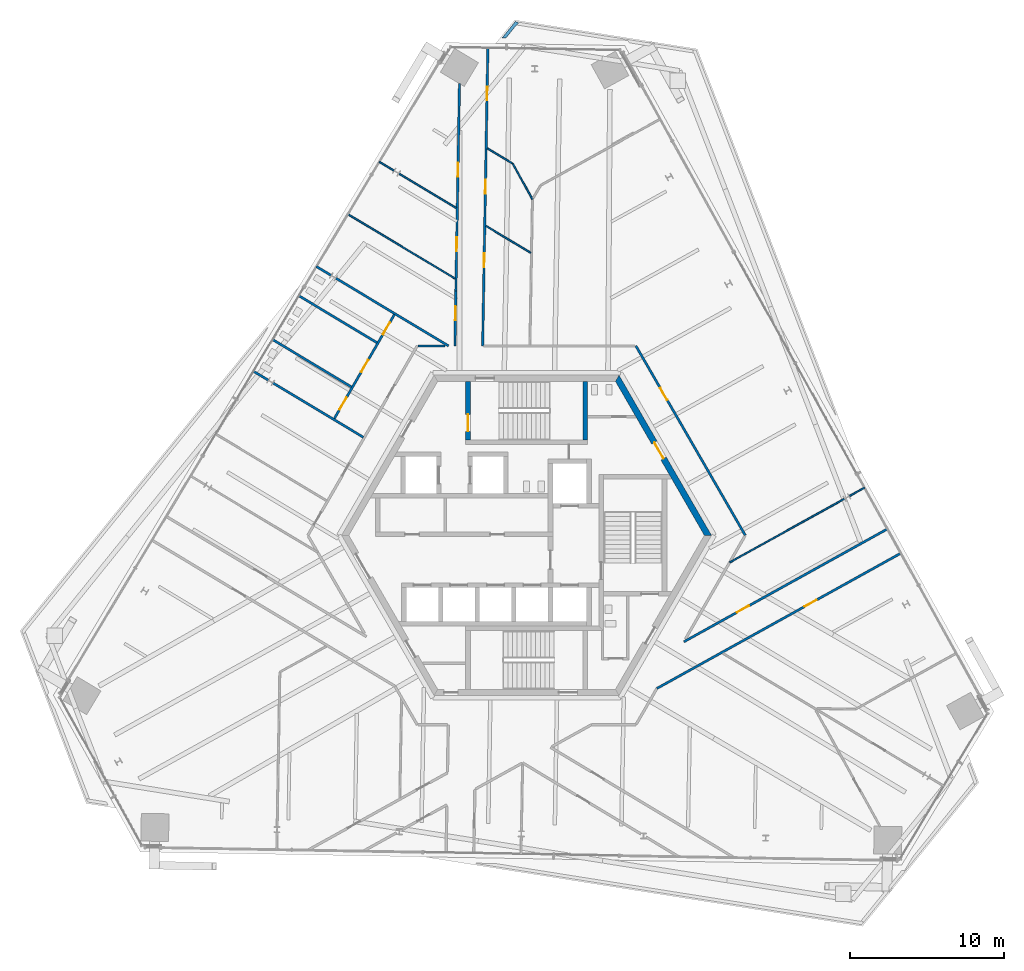
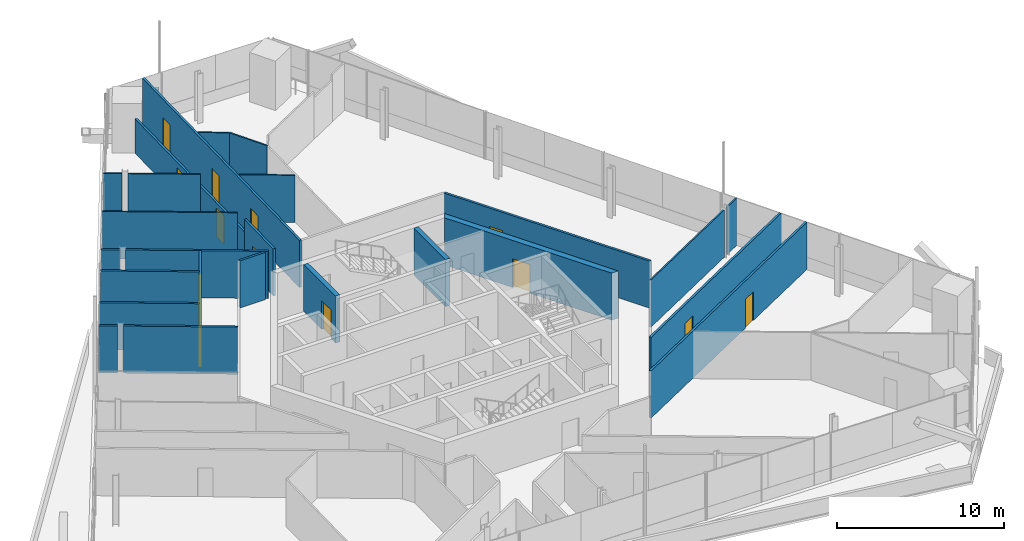
# One storey, part 17 of 22: 26 walls, 14 doors, 14 openings.
"""IFC4 building model written with IfcOpenShell, lengths in metres."""

from ifc_helpers import new_model, si_unit, direction, frame, frame_2d, origin, place, context, subcontext, project, spatial, polyline, rectangle, outline, extrude, source, transform, mapped, material, layer, layer_set, type_object, element, fill, save


model = new_model("IFC4")

# Units and contexts
model_context = context("Model", 3, precision=1e-05, world=origin(), true_north=direction((0.0, 1.0)))
body_context = subcontext(model_context, "Body", "Model", "MODEL_VIEW")
ifc_project = project(units=[si_unit("LENGTHUNIT", "METRE"), si_unit("AREAUNIT", "SQUARE_METRE"), si_unit("VOLUMEUNIT", "CUBIC_METRE"), si_unit("PLANEANGLEUNIT", "RADIAN"), si_unit("MASSUNIT", "GRAM", prefix="KILO")], contexts=[model_context])

# Site, building, storey
site_placement = place(None, origin())
site = spatial("IfcSite", under=ifc_project, at=site_placement, CompositionType="ELEMENT")
building_placement = place(site_placement, origin())
building = spatial("IfcBuilding", under=site, at=building_placement, Name="Triune Harvest Tower", CompositionType="ELEMENT")
storey_placement = place(building_placement, frame((0.0, 0.0, 179.89990234375)))
storey = spatial("IfcBuildingStorey", under=building, at=storey_placement, Name="L46", CompositionType="ELEMENT", Elevation=179.89990234375)

# Walls
ifc_material_1 = material(Name="Gypsum board on steel studs", Category="steel")
ifc_layer_1 = layer(ifc_material_1, 0.14990234375)
ifc_layer_set_1 = layer_set([ifc_layer_1], Name="Gypsum board on steel studs")
wall_type_1 = type_object("IfcWallType", Name="Fire Partition 150 mm", PredefinedType="PARTITIONING", material=ifc_layer_set_1)
wall_1_placement = place(storey_placement, frame((-16.46044921875, 9.890380859375, 0.0), z_axis=(0.0, 0.0, 1.0), x_axis=(0.857165653174, -0.515040816847, 0.0)))
element("IfcWall", 1, at=wall_1_placement, inside=storey, type_object=wall_type_1, Name="Partition L46 016", PredefinedType="PARTITIONING", context=body_context, shape_type="SweptSolid", body=[
    extrude(rectangle(XDim=6.84912109375, YDim=0.14990234375, at=frame_2d((3.424560546875, 0.0))), origin(), (0.0, 0.0, 1.0), 3.440185546875),
])
wall_2_placement = place(storey_placement, frame((-16.487548828125, 12.706787109375, 0.0), z_axis=(0.0, 0.0, 1.0), x_axis=(0.857164980933, -0.515041935634, 0.0)))
element("IfcWall", 2, at=wall_2_placement, inside=storey, type_object=wall_type_1, Name="Partition L46 019", PredefinedType="PARTITIONING", context=body_context, shape_type="SweptSolid", body=[
    extrude(rectangle(XDim=5.980712890625, YDim=0.14990234375, at=frame_2d((2.990234375, 0.0))), origin(), (0.0, 0.0, 1.0), 3.440185546875),
])
wall_3_placement = place(storey_placement, frame((-14.779541015625, 15.54931640625, 0.0), z_axis=(0.0, 0.0, 1.0), x_axis=(0.857165418582, -0.51504120727, 0.0)))
element("IfcWall", 3, at=wall_3_placement, inside=storey, type_object=wall_type_1, Name="Partition L46 020", PredefinedType="PARTITIONING", context=body_context, shape_type="SweptSolid", body=[
    extrude(rectangle(XDim=5.9228515625, YDim=0.14990234375, at=frame_2d((2.96142578125, 0.0))), origin(), (0.0, 0.0, 1.0), 3.440185546875),
])
wall_4_placement = place(storey_placement, frame((-12.377685546875, 16.685302734375, 0.0), z_axis=(0.0, 0.0, 1.0), x_axis=(0.857174551335, -0.515026007638, 0.0)))
element("IfcWall", 4, at=wall_4_placement, inside=storey, type_object=wall_type_1, Name="Partition L46 022", PredefinedType="PARTITIONING", context=body_context, shape_type="SweptSolid", body=[
    extrude(rectangle(XDim=8.52978515625, YDim=0.14990234375, at=frame_2d((4.264892578125, 0.0))), origin(), (0.0, 0.0, 1.0), 3.440185546875),
])
wall_5_placement = place(storey_placement, frame((-7.047119140625, 12.292236328125, 0.0), z_axis=(0.0, 0.0, 1.0), x_axis=(1.0, 0.0, 0.0)))
element("IfcWall", 5, at=wall_5_placement, inside=storey, type_object=wall_type_1, Name="Partition L46 031", PredefinedType="PARTITIONING", context=body_context, shape_type="SweptSolid", body=[
    extrude(rectangle(XDim=1.747314453125, YDim=0.14990234375, at=frame_2d((0.87353515625, 0.0))), origin(), (0.0, 0.0, 1.0), 3.440185546875),
])

# Wall, opening, door
wall_6_placement = place(storey_placement, frame((8.456787109375, -9.936767578125, 0.0), z_axis=(0.0, 0.0, 1.0), x_axis=(0.874617575563, 0.484813465692, 0.0)))
wall_6 = element("IfcWall", 6, at=wall_6_placement, inside=storey, type_object=wall_type_1, Name="Partition L46 038", PredefinedType="PARTITIONING", context=body_context, shape_type="SweptSolid", body=[
    extrude(rectangle(XDim=18.09814453125, YDim=0.14990234375, at=frame_2d((9.049072265625, 0.0))), origin(), (0.0, 0.0, 1.0), 3.440185546875),
])
opening_1_placement = place(wall_6_placement, frame((10.955810546875, 0.0, 0.0)))
opening_1 = element("IfcOpeningElement", 7, at=opening_1_placement, cuts=wall_6, Name="Opening L46-002", PredefinedType="OPENING", context=body_context, shape_type="SweptSolid", body=[
    extrude(rectangle(XDim=0.89990234375, YDim=2.10009765625, at=frame_2d((0.449951171875, 1.050048828125))), frame((0.0, 0.0849609375, 0.0), z_axis=(0.0, -1.0, 0.0), x_axis=(1.0, 0.0, 0.0)), (0.0, 0.0, 1.0), 0.169921875),
])
ifc_material_2 = material(Name="Timber and steel door set", Category="steel")
door_type_1 = type_object("IfcDoorType", Name="Single leaf door FD30 left hand 900 x 2100", OperationType="SINGLE_SWING_LEFT", PredefinedType="DOOR", material=ifc_material_2)
door_1_placement = place(opening_1_placement, origin())
door_1 = element("IfcDoor", 8, at=door_1_placement, inside=storey, type_object=door_type_1, Name="Door L46-002 Office 46.02", OperationType="SINGLE_SWING_LEFT", OverallHeight=2.10009765625, OverallWidth=0.89990234375, PredefinedType="DOOR", context=body_context, shape_type="SweptSolid", body=[
    extrude(rectangle(XDim=0.89990234375, YDim=2.10009765625, at=frame_2d((0.449951171875, 1.050048828125))), frame((0.0, 0.02490234375, 0.0), z_axis=(0.0, -1.0, 0.0), x_axis=(1.0, 0.0, 0.0)), (0.0, 0.0, 1.0), 0.050048828125),
])
fill(opening_1, door_1)

wall_7_placement = place(storey_placement, frame((10.204345703125, -6.91015625, 0.0), z_axis=(0.0, 0.0, 1.0), x_axis=(0.874618217, 0.484812308519, 0.0)))
wall_7 = element("IfcWall", 9, at=wall_7_placement, inside=storey, type_object=wall_type_1, Name="Partition L46 040", PredefinedType="PARTITIONING", context=body_context, shape_type="SweptSolid", body=[
    extrude(rectangle(XDim=15.102294921875, YDim=0.14990234375, at=frame_2d((7.55126953125, 0.0))), origin(), (0.0, 0.0, 1.0), 3.440185546875),
])
opening_2_placement = place(wall_7_placement, frame((3.93310546875, 0.0, 0.0)))
opening_2 = element("IfcOpeningElement", 10, at=opening_2_placement, cuts=wall_7, Name="Opening L46-001", PredefinedType="OPENING", context=body_context, shape_type="SweptSolid", body=[
    extrude(rectangle(XDim=0.89990234375, YDim=2.10009765625, at=frame_2d((0.449951171875, 1.050048828125))), frame((0.0, 0.0849609375, 0.0), z_axis=(0.0, -1.0, 0.0), x_axis=(1.0, 0.0, 0.0)), (0.0, 0.0, 1.0), 0.169921875),
])
door_2_placement = place(opening_2_placement, origin())
door_2 = element("IfcDoor", 11, at=door_2_placement, inside=storey, type_object=door_type_1, Name="Door L46-001 Meeting Room 46.01", OperationType="SINGLE_SWING_LEFT", OverallHeight=2.10009765625, OverallWidth=0.89990234375, PredefinedType="DOOR", context=body_context, shape_type="SweptSolid", body=[
    extrude(rectangle(XDim=0.89990234375, YDim=2.10009765625, at=frame_2d((0.449951171875, 1.050048828125))), frame((0.0, 0.02490234375, 0.0), z_axis=(0.0, -1.0, 0.0), x_axis=(1.0, 0.0, 0.0)), (0.0, 0.0, 1.0), 0.050048828125),
])
fill(opening_2, door_2)

# Wall, openings, doors
wall_8_placement = place(storey_placement, frame((-12.510009765625, 7.5166015625, 0.0), z_axis=(0.0, 0.0, 1.0), x_axis=(0.499999983394, 0.866025413372, 0.0)))
wall_8 = element("IfcWall", 12, at=wall_8_placement, inside=storey, type_object=wall_type_1, Name="Partition L46 049", PredefinedType="PARTITIONING", context=body_context, shape_type="SweptSolid", body=[
    extrude(rectangle(XDim=7.86865234375, YDim=0.14990234375, at=frame_2d((3.934326171875, 0.0))), origin(), (0.0, 0.0, 1.0), 3.440185546875),
])
opening_3_placement = place(wall_8_placement, frame((6.378662109375, 0.0, 0.0)))
opening_3 = element("IfcOpeningElement", 13, at=opening_3_placement, cuts=wall_8, Name="Opening L46-011", PredefinedType="OPENING", context=body_context, shape_type="SweptSolid", body=[
    extrude(rectangle(XDim=0.89990234375, YDim=2.10009765625, at=frame_2d((0.449951171875, 1.050048828125))), frame((0.0, 0.0849609375, 0.0), z_axis=(0.0, -1.0, 0.0), x_axis=(1.0, 0.0, 0.0)), (0.0, 0.0, 1.0), 0.169921875),
])
opening_4_placement = place(wall_8_placement, frame((3.5673828125, 0.0, 0.0)))
opening_4 = element("IfcOpeningElement", 14, at=opening_4_placement, cuts=wall_8, Name="Opening L46-012", PredefinedType="OPENING", context=body_context, shape_type="SweptSolid", body=[
    extrude(rectangle(XDim=0.89990234375, YDim=2.10009765625, at=frame_2d((0.449951171875, 1.050048828125))), frame((0.0, 0.0849609375, 0.0), z_axis=(0.0, -1.0, 0.0), x_axis=(1.0, 0.0, 0.0)), (0.0, 0.0, 1.0), 0.169921875),
])
opening_5_placement = place(wall_8_placement, frame((0.75048828125, 0.0, 0.0)))
opening_5 = element("IfcOpeningElement", 15, at=opening_5_placement, cuts=wall_8, Name="Opening L46-013", PredefinedType="OPENING", context=body_context, shape_type="SweptSolid", body=[
    extrude(rectangle(XDim=0.89990234375, YDim=2.10009765625, at=frame_2d((0.449951171875, 1.050048828125))), frame((0.0, 0.0849609375, 0.0), z_axis=(0.0, -1.0, 0.0), x_axis=(1.0, 0.0, 0.0)), (0.0, 0.0, 1.0), 0.169921875),
])
door_3_placement = place(opening_5_placement, origin())
door_3 = element("IfcDoor", 16, at=door_3_placement, inside=storey, type_object=door_type_1, Name="Door L46-013 Accessible WC 46.13", OperationType="SINGLE_SWING_LEFT", OverallHeight=2.10009765625, OverallWidth=0.89990234375, PredefinedType="DOOR", context=body_context, shape_type="SweptSolid", body=[
    extrude(rectangle(XDim=0.89990234375, YDim=2.10009765625, at=frame_2d((0.449951171875, 1.050048828125))), frame((0.0, 0.02490234375, 0.0), z_axis=(0.0, -1.0, 0.0), x_axis=(1.0, 0.0, 0.0)), (0.0, 0.0, 1.0), 0.050048828125),
])
fill(opening_5, door_3)
ifc_material_3 = material(Name="Timber and steel door set", Category="steel")
door_type_2 = type_object("IfcDoorType", Name="Single leaf door FD30 right hand 900 x 2100", OperationType="SINGLE_SWING_RIGHT", PredefinedType="DOOR", material=ifc_material_3)
door_4_placement = place(opening_3_placement, origin())
door_4 = element("IfcDoor", 17, at=door_4_placement, inside=storey, type_object=door_type_2, Name="Door L46-011 Women's WC 46.11", OperationType="SINGLE_SWING_RIGHT", OverallHeight=2.10009765625, OverallWidth=0.89990234375, PredefinedType="DOOR", context=body_context, shape_type="SweptSolid", body=[
    extrude(rectangle(XDim=0.89990234375, YDim=2.10009765625, at=frame_2d((0.449951171875, 1.050048828125))), frame((0.0, 0.02490234375, 0.0), z_axis=(0.0, -1.0, 0.0), x_axis=(1.0, 0.0, 0.0)), (0.0, 0.0, 1.0), 0.050048828125),
])
fill(opening_3, door_4)
door_5_placement = place(opening_4_placement, origin())
door_5 = element("IfcDoor", 18, at=door_5_placement, inside=storey, type_object=door_type_2, Name="Door L46-012 Men's WC 46.12", OperationType="SINGLE_SWING_RIGHT", OverallHeight=2.10009765625, OverallWidth=0.89990234375, PredefinedType="DOOR", context=body_context, shape_type="SweptSolid", body=[
    extrude(rectangle(XDim=0.89990234375, YDim=2.10009765625, at=frame_2d((0.449951171875, 1.050048828125))), frame((0.0, 0.02490234375, 0.0), z_axis=(0.0, -1.0, 0.0), x_axis=(1.0, 0.0, 0.0)), (0.0, 0.0, 1.0), 0.050048828125),
])
fill(opening_4, door_5)

wall_9_placement = place(storey_placement, frame((-2.849609375, 12.292236328125, 0.0), z_axis=(0.0, 0.0, 1.0), x_axis=(0.01746700904, 0.99984744016, 0.0)))
wall_9 = element("IfcWall", 19, at=wall_9_placement, inside=storey, type_object=wall_type_1, Name="Partition L46 054", PredefinedType="PARTITIONING", context=body_context, shape_type="SweptSolid", body=[
    extrude(rectangle(XDim=19.344482421875, YDim=0.14990234375, at=frame_2d((9.67236328125, 0.0))), origin(), (0.0, 0.0, 1.0), 3.440185546875),
])
opening_6_placement = place(wall_9_placement, frame((15.931884765625, 0.0, 0.0)))
opening_6 = element("IfcOpeningElement", 20, at=opening_6_placement, cuts=wall_9, Name="Opening L46-004", PredefinedType="OPENING", context=body_context, shape_type="SweptSolid", body=[
    extrude(rectangle(XDim=0.89990234375, YDim=2.10009765625, at=frame_2d((0.449951171875, 1.050048828125))), frame((0.0, 0.0849609375, 0.0), z_axis=(0.0, -1.0, 0.0), x_axis=(1.0, 0.0, 0.0)), (0.0, 0.0, 1.0), 0.169921875),
])
opening_7_placement = place(wall_9_placement, frame((9.88525390625, 0.0, 0.0)))
opening_7 = element("IfcOpeningElement", 21, at=opening_7_placement, cuts=wall_9, Name="Opening L46-006", PredefinedType="OPENING", context=body_context, shape_type="SweptSolid", body=[
    extrude(rectangle(XDim=0.89990234375, YDim=2.10009765625, at=frame_2d((0.449951171875, 1.050048828125))), frame((0.0, 0.0849609375, 0.0), z_axis=(0.0, -1.0, 0.0), x_axis=(1.0, 0.0, 0.0)), (0.0, 0.0, 1.0), 0.169921875),
])
opening_8_placement = place(wall_9_placement, frame((5.1083984375, 0.0, 0.0)))
opening_8 = element("IfcOpeningElement", 22, at=opening_8_placement, cuts=wall_9, Name="Opening L46-009", PredefinedType="OPENING", context=body_context, shape_type="SweptSolid", body=[
    extrude(rectangle(XDim=0.89990234375, YDim=2.10009765625, at=frame_2d((0.449951171875, 1.050048828125))), frame((0.0, 0.0849609375, 0.0), z_axis=(0.0, -1.0, 0.0), x_axis=(1.0, 0.0, 0.0)), (0.0, 0.0, 1.0), 0.169921875),
])
door_6_placement = place(opening_6_placement, origin())
door_6 = element("IfcDoor", 23, at=door_6_placement, inside=storey, type_object=door_type_1, Name="Door L46-004 Reception 46.04", OperationType="SINGLE_SWING_LEFT", OverallHeight=2.10009765625, OverallWidth=0.89990234375, PredefinedType="DOOR", context=body_context, shape_type="SweptSolid", body=[
    extrude(rectangle(XDim=0.89990234375, YDim=2.10009765625, at=frame_2d((0.449951171875, 1.050048828125))), frame((0.0, 0.02490234375, 0.0), z_axis=(0.0, -1.0, 0.0), x_axis=(1.0, 0.0, 0.0)), (0.0, 0.0, 1.0), 0.050048828125),
])
fill(opening_6, door_6)
door_7_placement = place(opening_7_placement, origin())
door_7 = element("IfcDoor", 24, at=door_7_placement, inside=storey, type_object=door_type_1, Name="Door L46-006 Office 46.06", OperationType="SINGLE_SWING_LEFT", OverallHeight=2.10009765625, OverallWidth=0.89990234375, PredefinedType="DOOR", context=body_context, shape_type="SweptSolid", body=[
    extrude(rectangle(XDim=0.89990234375, YDim=2.10009765625, at=frame_2d((0.449951171875, 1.050048828125))), frame((0.0, 0.02490234375, 0.0), z_axis=(0.0, -1.0, 0.0), x_axis=(1.0, 0.0, 0.0)), (0.0, 0.0, 1.0), 0.050048828125),
])
fill(opening_7, door_7)
door_8_placement = place(opening_8_placement, origin())
door_8 = element("IfcDoor", 25, at=door_8_placement, inside=storey, type_object=door_type_2, Name="Door L46-009 Office 46.09", OperationType="SINGLE_SWING_RIGHT", OverallHeight=2.10009765625, OverallWidth=0.89990234375, PredefinedType="DOOR", context=body_context, shape_type="SweptSolid", body=[
    extrude(rectangle(XDim=0.89990234375, YDim=2.10009765625, at=frame_2d((0.449951171875, 1.050048828125))), frame((0.0, 0.02490234375, 0.0), z_axis=(0.0, -1.0, 0.0), x_axis=(1.0, 0.0, 0.0)), (0.0, 0.0, 1.0), 0.050048828125),
])
fill(opening_8, door_8)

# Wall, opening, door
wall_10_placement = place(storey_placement, frame((-4.64990234375, 12.292236328125, 0.0), z_axis=(0.0, 0.0, 1.0), x_axis=(0.017413705839, 0.999848369929, 0.0)))
wall_10 = element("IfcWall", 26, at=wall_10_placement, inside=storey, type_object=wall_type_1, Name="Partition L46 057", PredefinedType="PARTITIONING", context=body_context, shape_type="SweptSolid", body=[
    extrude(rectangle(XDim=3.56103515625, YDim=0.14990234375, at=frame_2d((1.780517578125, 0.0))), origin(), (0.0, 0.0, 1.0), 3.440185546875),
])
opening_9_placement = place(wall_10_placement, frame((1.67919921875, 0.0, 0.0)))
opening_9 = element("IfcOpeningElement", 27, at=opening_9_placement, cuts=wall_10, Name="Opening L46-007", PredefinedType="OPENING", context=body_context, shape_type="SweptSolid", body=[
    extrude(rectangle(XDim=0.89990234375, YDim=2.10009765625, at=frame_2d((0.449951171875, 1.050048828125))), frame((0.0, 0.0849609375, 0.0), z_axis=(0.0, -1.0, 0.0), x_axis=(1.0, 0.0, 0.0)), (0.0, 0.0, 1.0), 0.169921875),
])
door_9_placement = place(opening_9_placement, origin())
door_9 = element("IfcDoor", 28, at=door_9_placement, inside=storey, type_object=door_type_1, Name="Door L46-007 Office 46.07", OperationType="SINGLE_SWING_LEFT", OverallHeight=2.10009765625, OverallWidth=0.89990234375, PredefinedType="DOOR", context=body_context, shape_type="SweptSolid", body=[
    extrude(rectangle(XDim=0.89990234375, YDim=2.10009765625, at=frame_2d((0.449951171875, 1.050048828125))), frame((0.0, 0.02490234375, 0.0), z_axis=(0.0, -1.0, 0.0), x_axis=(1.0, 0.0, 0.0)), (0.0, 0.0, 1.0), 0.050048828125),
])
fill(opening_9, door_9)

# Walls
ifc_material_4 = material(Name="Concrete 40 MPa", Category="concrete")
ifc_layer_2 = layer(ifc_material_4, 0.199951171875)
ifc_layer_set_2 = layer_set([ifc_layer_2], Name="Concrete 40 MPa")
wall_type_2 = type_object("IfcWallType", Name="PA-1 parapet 200", PredefinedType="PARAPET", material=ifc_layer_set_2)
wall_11_placement = place(storey_placement, origin())
element("IfcWall", 29, at=wall_11_placement, inside=storey, type_object=wall_type_2, Name="Parapet wedge L45 2.1", PredefinedType="PARAPET", context=body_context, shape_type="SweptSolid", body=[
    extrude(outline(polyline([(-0.631103515625, 33.115478515625), (-0.65380859375, 33.118896484375), (-1.3466796875, 32.263427734375), (-1.600341796875, 32.267822265625), (-0.73681640625, 33.334716796875), (-0.62255859375, 33.31640625), (-0.529296875, 33.240966796875), (-0.631103515625, 33.115478515625)])), origin(), (0.0, 0.0, 1.0), 1.10009765625),
])
ifc_material_5 = material(Name="Gypsum board on steel studs", Category="steel")
ifc_layer_3 = layer(ifc_material_5, 0.10009765625)
ifc_layer_set_3 = layer_set([ifc_layer_3], Name="Gypsum board on steel studs")
wall_type_3 = type_object("IfcWallType", Name="Partition 100 mm", PredefinedType="PARTITIONING", material=ifc_layer_set_3)
wall_12_placement = place(storey_placement, frame((-0.900390625, 24.123779296875, 0.0), z_axis=(0.0, 0.0, 1.0), x_axis=(0.484842476336, -0.874601493905, 0.0)))
element("IfcWall", 30, at=wall_12_placement, inside=storey, type_object=wall_type_3, Name="Partition L46 001", PredefinedType="PARTITIONING", context=body_context, shape_type="SweptSolid", body=[
    extrude(rectangle(XDim=2.64208984375, YDim=0.10009765625, at=frame_2d((1.321044921875, 0.0))), origin(), (0.0, 0.0, 1.0), 3.440185546875),
])
wall_13_placement = place(storey_placement, frame((-11.599609375, 20.841796875, 0.0), z_axis=(0.0, 0.0, 1.0), x_axis=(0.857187155014, -0.515005030344, 0.0)))
element("IfcWall", 31, at=wall_13_placement, inside=storey, type_object=wall_type_3, Name="Partition L46 023", PredefinedType="PARTITIONING", context=body_context, shape_type="SweptSolid", body=[
    extrude(rectangle(XDim=8.10595703125, YDim=0.10009765625, at=frame_2d((4.052978515625, 0.0))), origin(), (0.0, 0.0, 1.0), 3.440185546875),
])
wall_14_placement = place(storey_placement, frame((-2.6357421875, 20.079833984375, 0.0), z_axis=(0.0, 0.0, 1.0), x_axis=(0.857187541804, -0.515004386559, 0.0)))
element("IfcWall", 32, at=wall_14_placement, inside=storey, type_object=wall_type_3, Name="Partition L46 026", PredefinedType="PARTITIONING", context=body_context, shape_type="SweptSolid", body=[
    extrude(rectangle(XDim=3.3876953125, YDim=0.10009765625, at=frame_2d((1.69384765625, 0.0))), origin(), (0.0, 0.0, 1.0), 3.440185546875),
])
wall_15_placement = place(storey_placement, frame((-2.5478515625, 25.113525390625, 0.0), z_axis=(0.0, 0.0, 1.0), x_axis=(0.857233704639, -0.514927544059, 0.0)))
element("IfcWall", 33, at=wall_15_placement, inside=storey, type_object=wall_type_3, Name="Partition L46 027", PredefinedType="PARTITIONING", context=body_context, shape_type="SweptSolid", body=[
    extrude(rectangle(XDim=1.912109375, YDim=0.10009765625, at=frame_2d((0.9560546875, 0.0))), origin(), (0.0, 0.0, 1.0), 3.440185546875),
])
wall_16_placement = place(storey_placement, frame((13.1787109375, -1.7587890625, 0.0), z_axis=(0.0, 0.0, 1.0), x_axis=(0.874607833569, 0.484831040116, 0.0)))
element("IfcWall", 34, at=wall_16_placement, inside=storey, type_object=wall_type_3, Name="Partition L46 041", PredefinedType="PARTITIONING", context=body_context, shape_type="SweptSolid", body=[
    extrude(rectangle(XDim=8.52978515625, YDim=0.10009765625, at=frame_2d((4.264892578125, 0.0))), origin(), (0.0, 0.0, 1.0), 3.440185546875),
])

# Wall, opening, door
ifc_material_6 = material(Name="Concrete 70 MPa", Category="concrete")
ifc_layer_4 = layer(ifc_material_6, 0.39990234375)
ifc_layer_set_4 = layer_set([ifc_layer_4], Name="Concrete 70 MPa")
wall_type_4 = type_object("IfcWallType", Name="Core wall 400", PredefinedType="SHEAR", material=ifc_layer_set_4)
shared_shape_1 = source(origin(), body_context, "Body", "SweptSolid", [
    extrude(outline(polyline([(-0.115478515625, -0.199951171875), (11.884521484375, -0.199951171875), (11.653564453125, 0.199951171875), (0.115478515625, 0.199951171875), (-0.115478515625, -0.199951171875)])), origin(), (0.0, 0.0, 1.0), 3.440185546875),
])
wall_17_placement = place(storey_placement, frame((11.76904296875, 0.0, 0.0), z_axis=(0.0, 0.0, 1.0), x_axis=(-0.499996592174, 0.866027371285, 0.0)))
wall_17 = element("IfcWall", 35, at=wall_17_placement, inside=storey, type_object=wall_type_4, Name="Hexagon 0 wall", PredefinedType="SHEAR", context=body_context, shape_type="MappedRepresentation", body=[
    mapped(shared_shape_1, transform((0.0, 0.0, 0.0), scale=1.0)),
])
opening_10_placement = place(wall_17_placement, frame((5.75048828125, 0.0, 0.0)))
opening_10 = element("IfcOpeningElement", 36, at=opening_10_placement, cuts=wall_17, Name="Opening CD-WCP", PredefinedType="OPENING", context=body_context, shape_type="SweptSolid", body=[
    extrude(rectangle(XDim=1.199951171875, YDim=2.10009765625, at=frame_2d((0.60009765625, 1.050048828125))), frame((0.0, 0.2099609375, 0.0), z_axis=(0.0, -1.0, 0.0), x_axis=(1.0, 0.0, 0.0)), (0.0, 0.0, 1.0), 0.419921875),
])
ifc_material_7 = material(Name="Steel S235", Category="steel")
door_type_3 = type_object("IfcDoorType", Name="Lobby door 1200 FD120", OperationType="SINGLE_SWING_LEFT", PredefinedType="DOOR", material=ifc_material_7)
door_10_placement = place(opening_10_placement, frame((1.199951171875, 0.0, 0.0), z_axis=(0.0, 0.0, 1.0), x_axis=(-1.0, 0.0, 0.0)))
door_10 = element("IfcDoor", 37, at=door_10_placement, inside=storey, type_object=door_type_3, Name="Door CD-WCP", OperationType="SINGLE_SWING_RIGHT", OverallHeight=2.10009765625, OverallWidth=1.199951171875, PredefinedType="DOOR", context=body_context, shape_type="SweptSolid", body=[
    extrude(rectangle(XDim=1.199951171875, YDim=2.10009765625, at=frame_2d((0.60009765625, 1.050048828125))), frame((0.0, 0.02490234375, 0.0), z_axis=(0.0, -1.0, 0.0), x_axis=(1.0, 0.0, 0.0)), (0.0, 0.0, 1.0), 0.050048828125),
])
fill(opening_10, door_10)

ifc_material_8 = material(Name="Concrete 70 MPa", Category="concrete")
ifc_layer_5 = layer(ifc_material_8, 0.300048828125)
ifc_layer_set_5 = layer_set([ifc_layer_5], Name="Concrete 70 MPa")
wall_type_5 = type_object("IfcWallType", Name="Core wall 300", PredefinedType="SHEAR", material=ifc_layer_set_5)
shared_shape_2 = source(origin(), body_context, "Body", "SweptSolid", [
    extrude(outline(polyline([(0.0, -0.14990234375), (0.0, 0.14990234375), (3.80419921875, 0.14990234375), (3.80419921875, -0.14990234375), (0.0, -0.14990234375)])), origin(), (0.0, 0.0, 1.0), 3.440185546875),
])
wall_18_placement = place(storey_placement, frame((-3.800048828125, 6.18994140625, 0.0), z_axis=(0.0, 0.0, 1.0), x_axis=(0.0, 1.0, 0.0)))
wall_18 = element("IfcWall", 38, at=wall_18_placement, inside=storey, type_object=wall_type_5, Name="Stair n west wall", PredefinedType="SHEAR", context=body_context, shape_type="MappedRepresentation", body=[
    mapped(shared_shape_2, transform((0.0, 0.0, 0.0), scale=1.0)),
])
opening_11_placement = place(wall_18_placement, frame((0.56005859375, 0.0, 0.0)))
opening_11 = element("IfcOpeningElement", 39, at=opening_11_placement, cuts=wall_18, Name="Opening CD-S1L", PredefinedType="OPENING", context=body_context, shape_type="SweptSolid", body=[
    extrude(rectangle(XDim=1.10009765625, YDim=2.10009765625, at=frame_2d((0.550048828125, 1.050048828125))), frame((0.0, 0.16015625, 0.0), z_axis=(0.0, -1.0, 0.0), x_axis=(1.0, 0.0, 0.0)), (0.0, 0.0, 1.0), 0.320068359375),
])
ifc_material_9 = material(Name="Steel S235", Category="steel")
door_type_4 = type_object("IfcDoorType", Name="Stair door 1100 FD120", OperationType="SINGLE_SWING_LEFT", PredefinedType="DOOR", material=ifc_material_9)
door_11_placement = place(opening_11_placement, frame((1.10009765625, 0.0, 0.0), z_axis=(0.0, 0.0, 1.0), x_axis=(-1.0, 0.0, 0.0)))
door_11 = element("IfcDoor", 40, at=door_11_placement, inside=storey, type_object=door_type_4, Name="Door CD-S1L", OperationType="SINGLE_SWING_RIGHT", OverallHeight=2.10009765625, OverallWidth=1.10009765625, PredefinedType="DOOR", context=body_context, shape_type="SweptSolid", body=[
    extrude(rectangle(XDim=1.10009765625, YDim=2.10009765625, at=frame_2d((0.550048828125, 1.050048828125))), frame((0.0, 0.02490234375, 0.0), z_axis=(0.0, -1.0, 0.0), x_axis=(1.0, 0.0, 0.0)), (0.0, 0.0, 1.0), 0.050048828125),
])
fill(opening_11, door_11)

# Wall
wall_19_placement = place(storey_placement, frame((3.800048828125, 6.18994140625, 0.0), z_axis=(0.0, 0.0, 1.0), x_axis=(0.0, 1.0, 0.0)))
element("IfcWall", 41, at=wall_19_placement, inside=storey, type_object=wall_type_5, Name="Stair n east wall", PredefinedType="SHEAR", context=body_context, shape_type="MappedRepresentation", body=[
    mapped(shared_shape_2, transform((0.0, 0.0, 0.0), scale=1.0)),
])

# Wall, opening, door
shared_shape_3 = source(origin(), body_context, "Body", "SweptSolid", [
    extrude(rectangle(XDim=14.19384765625, YDim=0.14990234375, at=frame_2d((7.096923828125, 0.0))), origin(), (0.0, 0.0, 1.0), 3.440185546875),
])
wall_20_placement = place(storey_placement, frame((7.096923828125, 12.292236328125, 0.0), z_axis=(0.0, 0.0, 1.0), x_axis=(0.499999887723, -0.866025468608, 0.0)))
wall_20 = element("IfcWall", 42, at=wall_20_placement, inside=storey, type_object=wall_type_1, Name="Partition L46 006", PredefinedType="PARTITIONING", context=body_context, shape_type="MappedRepresentation", body=[
    mapped(shared_shape_3, transform((0.0, 0.0, 0.0), scale=1.0)),
])
opening_12_placement = place(wall_20_placement, frame((3.16162109375, 0.0, 0.0)))
opening_12 = element("IfcOpeningElement", 43, at=opening_12_placement, cuts=wall_20, Name="Opening L46-003", PredefinedType="OPENING", context=body_context, shape_type="SweptSolid", body=[
    extrude(rectangle(XDim=0.89990234375, YDim=2.10009765625, at=frame_2d((0.449951171875, 1.050048828125))), frame((0.0, 0.0849609375, 0.0), z_axis=(0.0, -1.0, 0.0), x_axis=(1.0, 0.0, 0.0)), (0.0, 0.0, 1.0), 0.169921875),
])
door_12_placement = place(opening_12_placement, origin())
door_12 = element("IfcDoor", 44, at=door_12_placement, inside=storey, type_object=door_type_1, Name="Door L46-003 Open Office 46.03", OperationType="SINGLE_SWING_LEFT", OverallHeight=2.10009765625, OverallWidth=0.89990234375, PredefinedType="DOOR", context=body_context, shape_type="SweptSolid", body=[
    extrude(rectangle(XDim=0.89990234375, YDim=2.10009765625, at=frame_2d((0.449951171875, 1.050048828125))), frame((0.0, 0.02490234375, 0.0), z_axis=(0.0, -1.0, 0.0), x_axis=(1.0, 0.0, 0.0)), (0.0, 0.0, 1.0), 0.050048828125),
])
fill(opening_12, door_12)

# Walls
shared_shape_4 = source(origin(), body_context, "Body", "SweptSolid", [
    extrude(rectangle(XDim=1.13037109375, YDim=0.14990234375, at=frame_2d((0.565185546875, 0.0))), origin(), (0.0, 0.0, 1.0), 3.440185546875),
])
for number, where, z_axis, x_axis, name in (
    (45, (-17.7236328125, 10.649658203125, 0.0), (0.0, 0.0, 1.0), (0.857149738065, -0.515067302919, 0.0), "Partition L46 015"),
    (46, (-13.640869140625, 17.444580078125, 0.0), (0.0, 0.0, 1.0), (0.857149738065, -0.515067302919, 0.0), "Partition L46 021"),
):
    element("IfcWall", number, at=place(storey_placement, frame(where, z_axis=z_axis, x_axis=x_axis)), inside=storey, type_object=wall_type_1, Name=name, PredefinedType="PARTITIONING", context=body_context, shape_type="MappedRepresentation", body=[
        mapped(shared_shape_4, transform((0.0, 0.0, 0.0), scale=1.0)),
    ])
shared_shape_5 = source(origin(), body_context, "Body", "SweptSolid", [
    extrude(rectangle(XDim=1.130615234375, YDim=0.10009765625, at=frame_2d((0.5654296875, 0.0))), origin(), (0.0, 0.0, 1.0), 3.440185546875),
])
for number, where, z_axis, x_axis, name in (
    (47, (-9.55810546875, 24.239501953125, 0.0), (0.0, 0.0, 1.0), (0.85705438935, -0.515225944316, 0.0), "Partition L46 024"),
    (48, (20.93896484375, 2.54296875, 0.0), (0.0, 0.0, 1.0), (0.874615280468, 0.484817606087, 0.0), "Partition L46 042"),
):
    element("IfcWall", number, at=place(storey_placement, frame(where, z_axis=z_axis, x_axis=x_axis)), inside=storey, type_object=wall_type_3, Name=name, PredefinedType="PARTITIONING", context=body_context, shape_type="MappedRepresentation", body=[
        mapped(shared_shape_5, transform((0.0, 0.0, 0.0), scale=1.0)),
    ])
shared_shape_6 = source(origin(), body_context, "Body", "SweptSolid", [
    extrude(rectangle(XDim=4.34375, YDim=0.10009765625, at=frame_2d((2.171875, 0.0))), origin(), (0.0, 0.0, 1.0), 3.440185546875),
])
wall_21_placement = place(storey_placement, frame((-8.294921875, 23.480224609375, 0.0), z_axis=(0.0, 0.0, 1.0), x_axis=(0.857185297152, -0.515008122602, 0.0)))
element("IfcWall", 49, at=wall_21_placement, inside=storey, type_object=wall_type_3, Name="Partition L46 025", PredefinedType="PARTITIONING", context=body_context, shape_type="MappedRepresentation", body=[
    mapped(shared_shape_6, transform((0.0, 0.0, 0.0), scale=1.0)),
])

# Wall, openings, doors
shared_shape_7 = source(origin(), body_context, "Body", "SweptSolid", [
    extrude(rectangle(XDim=13.470703125, YDim=0.14990234375, at=frame_2d((6.7353515625, 0.0))), origin(), (0.0, 0.0, 1.0), 2.51806640625),
])
wall_22_placement = place(storey_placement, frame((-4.587890625, 15.852783203125, 0.0), z_axis=(0.0, 0.0, 1.0), x_axis=(0.017453112648, 0.999847682829, 0.0)))
wall_22 = element("IfcWall", 50, at=wall_22_placement, inside=storey, type_object=wall_type_1, Name="Partition L46 057a", PredefinedType="PARTITIONING", context=body_context, shape_type="MappedRepresentation", body=[
    mapped(shared_shape_7, transform((0.0, 0.0, 0.0), scale=1.0)),
])
opening_13_placement = place(wall_22_placement, frame((7.42919921875, 0.0, 0.0)))
opening_13 = element("IfcOpeningElement", 51, at=opening_13_placement, cuts=wall_22, Name="Opening L46-005", PredefinedType="OPENING", context=body_context, shape_type="SweptSolid", body=[
    extrude(rectangle(XDim=0.89990234375, YDim=2.10009765625, at=frame_2d((0.449951171875, 1.050048828125))), frame((0.0, 0.0849609375, 0.0), z_axis=(0.0, -1.0, 0.0), x_axis=(1.0, 0.0, 0.0)), (0.0, 0.0, 1.0), 0.169921875),
])
opening_14_placement = place(wall_22_placement, frame((2.5947265625, 0.0, 0.0)))
opening_14 = element("IfcOpeningElement", 52, at=opening_14_placement, cuts=wall_22, Name="Opening L46-008", PredefinedType="OPENING", context=body_context, shape_type="SweptSolid", body=[
    extrude(rectangle(XDim=0.89990234375, YDim=2.10009765625, at=frame_2d((0.449951171875, 1.050048828125))), frame((0.0, 0.0849609375, 0.0), z_axis=(0.0, -1.0, 0.0), x_axis=(1.0, 0.0, 0.0)), (0.0, 0.0, 1.0), 0.169921875),
])
door_13_placement = place(opening_14_placement, origin())
door_13 = element("IfcDoor", 53, at=door_13_placement, inside=storey, type_object=door_type_1, Name="Door L46-008 Office 46.08", OperationType="SINGLE_SWING_LEFT", OverallHeight=2.10009765625, OverallWidth=0.89990234375, PredefinedType="DOOR", context=body_context, shape_type="SweptSolid", body=[
    extrude(rectangle(XDim=0.89990234375, YDim=2.10009765625, at=frame_2d((0.449951171875, 1.050048828125))), frame((0.0, 0.02490234375, 0.0), z_axis=(0.0, -1.0, 0.0), x_axis=(1.0, 0.0, 0.0)), (0.0, 0.0, 1.0), 0.050048828125),
])
fill(opening_14, door_13)
door_14_placement = place(opening_13_placement, origin())
door_14 = element("IfcDoor", 54, at=door_14_placement, inside=storey, type_object=door_type_2, Name="Door L46-005 Office 46.05", OperationType="SINGLE_SWING_RIGHT", OverallHeight=2.10009765625, OverallWidth=0.89990234375, PredefinedType="DOOR", context=body_context, shape_type="SweptSolid", body=[
    extrude(rectangle(XDim=0.89990234375, YDim=2.10009765625, at=frame_2d((0.449951171875, 1.050048828125))), frame((0.0, 0.02490234375, 0.0), z_axis=(0.0, -1.0, 0.0), x_axis=(1.0, 0.0, 0.0)), (0.0, 0.0, 1.0), 0.050048828125),
])
fill(opening_13, door_14)

save(model, "model.ifc")
